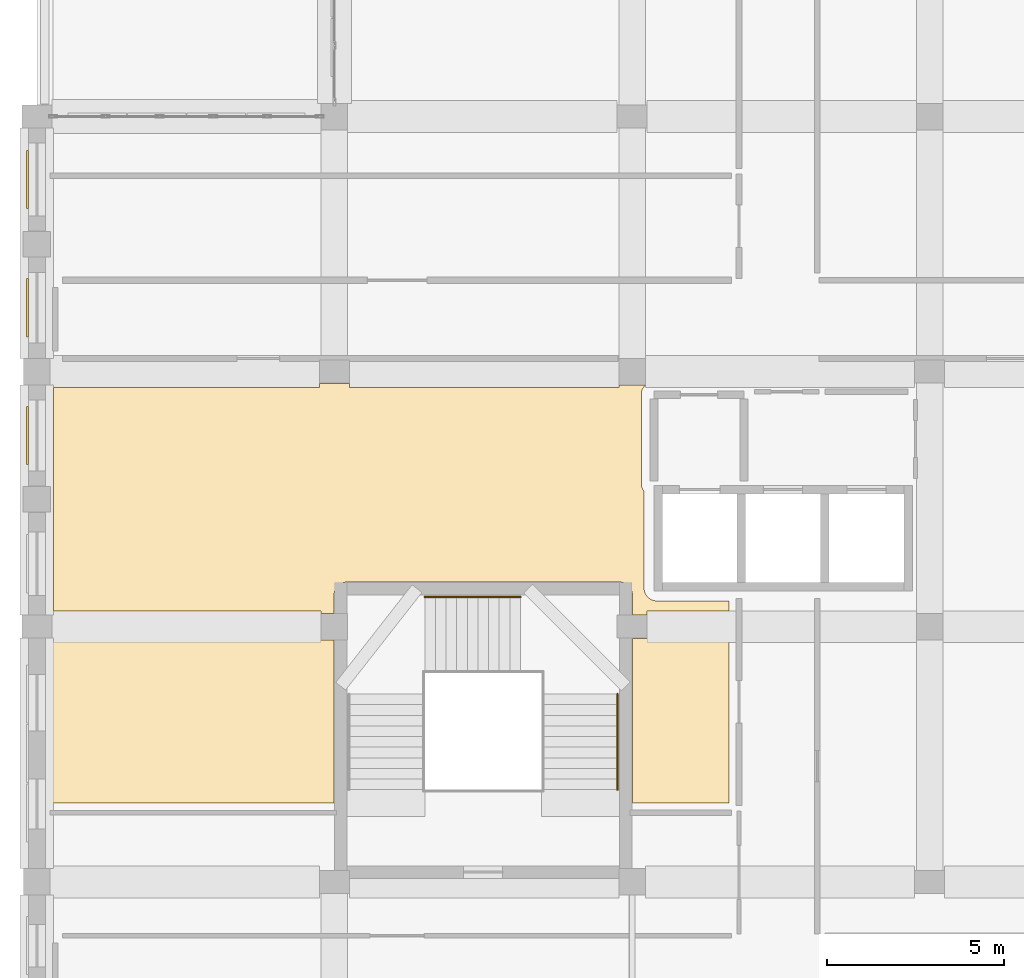
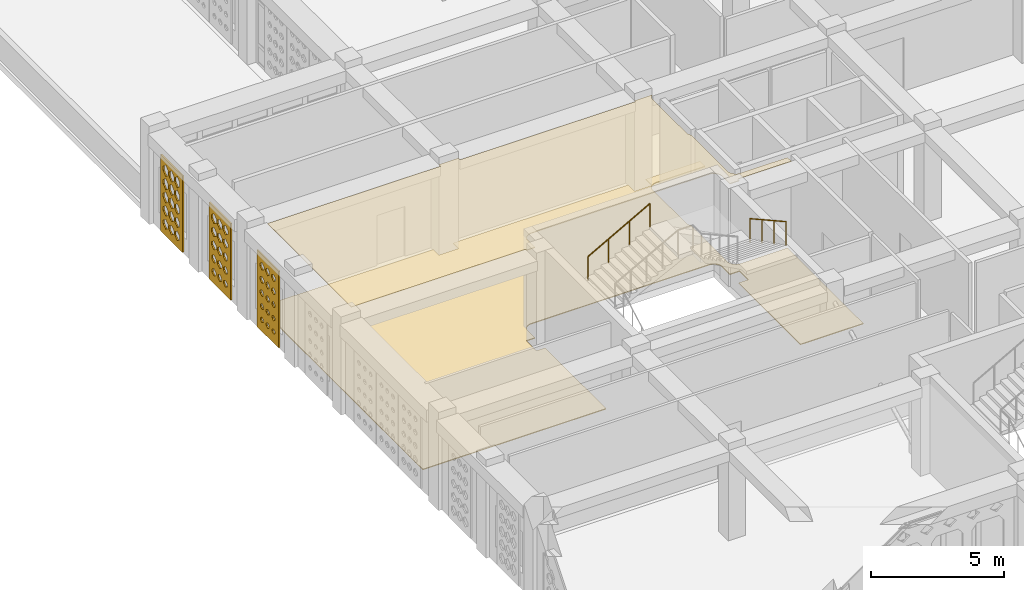
# One storey, part 73 of 100: 5 coverings, 2 railings.
"""IFC4 building model written with IfcOpenShell, lengths in metres."""

from ifc_helpers import new_model, si_unit, derived_unit, direction, frame, origin, origin_2d, place, context, subcontext, project, spatial, polyline, circle, outline, extrude, material, layer, layer_set, type_object, element, save


model = new_model("IFC4")

# Units and contexts
model_context = context("Model", 3, precision=1e-05, world=origin(), true_north=direction((0.0, 1.0)))
body_context = subcontext(model_context, "Body", "Model", "MODEL_VIEW")
ifc_project = project(units=[si_unit("LENGTHUNIT", "METRE"), si_unit("AREAUNIT", "SQUARE_METRE"), si_unit("VOLUMEUNIT", "CUBIC_METRE"), si_unit("PLANEANGLEUNIT", "RADIAN"), si_unit("MASSUNIT", "GRAM", prefix="KILO"), derived_unit("THERMALTRANSMITTANCEUNIT", [(si_unit("POWERUNIT", "WATT"), 1), (si_unit("LENGTHUNIT", "METRE"), -2), (si_unit("THERMODYNAMICTEMPERATUREUNIT", "KELVIN"), -1)])], contexts=[model_context])

# Site, building, storey
site_placement = place(None, origin())
site = spatial("IfcSite", under=ifc_project, at=site_placement, CompositionType="ELEMENT")
building_placement = place(site_placement, origin())
building = spatial("IfcBuilding", under=site, at=building_placement, Name="Veybourne Emporium", CompositionType="ELEMENT")
storey_placement = place(building_placement, frame((0.0, 0.0, 14.39990234375)))
storey = spatial("IfcBuildingStorey", under=building, at=storey_placement, Name="L03", CompositionType="ELEMENT", Elevation=14.39990234375)

# Coverings
ifc_material_1 = material(Name="Mineral Acoustic Ceiling", Category="gypsum")
ifc_layer_1 = layer(ifc_material_1, 0.02490234375)
ifc_layer_set_1 = layer_set([ifc_layer_1], Name="Mineral Acoustic Ceiling")
covering_type_1 = type_object("IfcCoveringType", Name="Ceiling_CLG-01", PredefinedType="CEILING", material=ifc_layer_set_1)
covering_1_placement = place(storey_placement, frame((0.0, 0.0, 4.155029296875)))
element("IfcCovering", 1, at=covering_1_placement, inside=storey, type_object=covering_type_1, Name="L03 coffered acoustic ceiling 06", PredefinedType="CEILING", context=body_context, shape_type="SweptSolid", body=[
    extrude(outline(polyline([(8.824951171875, 42.8701171875), (8.824951171875, 42.751953125), (16.425048828125, 42.751953125), (16.425048828125, 42.820068359375), (17.175048828125, 42.820068359375), (17.175048828125, 42.8134765625), (17.172607421875, 42.811279296875), (17.15869140625, 42.79736328125), (17.14794921875, 42.78564453125), (17.1357421875, 42.770751953125), (17.12646484375, 42.758056640625), (17.115478515625, 42.74169921875), (17.107421875, 42.728271484375), (17.09814453125, 42.7109375), (17.09130859375, 42.69677734375), (17.083984375, 42.6787109375), (17.07861328125, 42.663818359375), (17.072998046875, 42.64501953125), (17.069091796875, 42.6298828125), (17.065185546875, 42.610595703125), (17.06298828125, 42.594970703125), (17.06103515625, 42.575439453125), (17.060302734375, 42.559814453125), (17.06005859375, 42.550048828125), (17.06005859375, 40.04833984375), (17.060302734375, 40.038818359375), (17.06103515625, 40.0234375), (17.062744140625, 40.00439453125), (17.06494140625, 39.9892578125), (17.068603515625, 39.970458984375), (17.072265625, 39.95556640625), (17.077880859375, 39.93701171875), (17.082763671875, 39.92236328125), (17.090087890625, 39.90478515625), (17.096435546875, 39.890869140625), (17.105224609375, 39.873779296875), (17.113037109375, 39.860595703125), (17.12353515625, 39.844482421875), (17.13232421875, 39.83203125), (17.139892578125, 39.822509765625), (17.139892578125, 37.090087890625), (17.14013671875, 37.080078125), (17.14111328125, 37.064453125), (17.142822265625, 37.044921875), (17.145263671875, 37.029541015625), (17.149169921875, 37.01025390625), (17.15283203125, 36.994873046875), (17.15869140625, 36.97607421875), (17.163818359375, 36.96142578125), (17.17138671875, 36.943359375), (17.177978515625, 36.92919921875), (17.187255859375, 36.911865234375), (17.1953125, 36.8984375), (17.206298828125, 36.8818359375), (17.2158203125, 36.869384765625), (17.22802734375, 36.854248046875), (17.238525390625, 36.842529296875), (17.252685546875, 36.82861328125), (17.26416015625, 36.818115234375), (17.279296875, 36.8056640625), (17.2919921875, 36.79638671875), (17.308349609375, 36.785400390625), (17.32177734375, 36.77734375), (17.339111328125, 36.76806640625), (17.353271484375, 36.761474609375), (17.371337890625, 36.75390625), (17.38623046875, 36.74853515625), (17.405029296875, 36.742919921875), (17.420166015625, 36.739013671875), (17.439453125, 36.7353515625), (17.455078125, 36.73291015625), (17.474609375, 36.73095703125), (17.490234375, 36.730224609375), (17.5, 36.72998046875), (19.5400390625, 36.72998046875), (19.5400390625, 36.447998046875), (17.22509765625, 36.447998046875), (17.22509765625, 36.330078125), (16.81005859375, 36.330078125), (16.81005859375, 36.89990234375), (16.809814453125, 36.909912109375), (16.80908203125, 36.925537109375), (16.80712890625, 36.945068359375), (16.8046875, 36.96044921875), (16.801025390625, 36.979736328125), (16.797119140625, 36.9951171875), (16.79150390625, 37.013916015625), (16.7861328125, 37.028564453125), (16.778564453125, 37.046630859375), (16.77197265625, 37.06103515625), (16.7626953125, 37.078125), (16.754638671875, 37.091796875), (16.74365234375, 37.108154296875), (16.734375, 37.12060546875), (16.721923828125, 37.1357421875), (16.71142578125, 37.1474609375), (16.697265625, 37.161376953125), (16.685791015625, 37.171875), (16.670654296875, 37.184326171875), (16.658203125, 37.193603515625), (16.6416015625, 37.20458984375), (16.628173828125, 37.212646484375), (16.61083984375, 37.221923828125), (16.5966796875, 37.228515625), (16.57861328125, 37.236083984375), (16.56396484375, 37.241455078125), (16.545166015625, 37.2470703125), (16.52978515625, 37.2509765625), (16.510498046875, 37.2548828125), (16.494873046875, 37.257080078125), (16.4755859375, 37.259033203125), (16.459716796875, 37.259765625), (16.449951171875, 37.260009765625), (8.75, 37.260009765625), (8.740234375, 37.259765625), (8.724609375, 37.259033203125), (8.705078125, 37.257080078125), (8.689453125, 37.2548828125), (8.670166015625, 37.2509765625), (8.655029296875, 37.2470703125), (8.63623046875, 37.241455078125), (8.621337890625, 37.236083984375), (8.603271484375, 37.228515625), (8.589111328125, 37.221923828125), (8.57177734375, 37.212646484375), (8.558349609375, 37.20458984375), (8.5419921875, 37.193603515625), (8.529296875, 37.184326171875), (8.51416015625, 37.171875), (8.502685546875, 37.161376953125), (8.488525390625, 37.1474609375), (8.47802734375, 37.1357421875), (8.4658203125, 37.12060546875), (8.456298828125, 37.108154296875), (8.4453125, 37.091796875), (8.437255859375, 37.078125), (8.427978515625, 37.06103515625), (8.42138671875, 37.046630859375), (8.413818359375, 37.028564453125), (8.40869140625, 37.013916015625), (8.40283203125, 36.9951171875), (8.399169921875, 36.979736328125), (8.395263671875, 36.96044921875), (8.392822265625, 36.945068359375), (8.39111328125, 36.925537109375), (8.39013671875, 36.909912109375), (8.389892578125, 36.89990234375), (8.389892578125, 36.3798828125), (8.02490234375, 36.3798828125), (8.02490234375, 36.447998046875), (0.472900390625, 36.447998046875), (0.472900390625, 42.751953125), (7.97509765625, 42.751953125), (7.97509765625, 42.8701171875), (8.824951171875, 42.8701171875)])), origin(), (0.0, 0.0, 1.0), 0.025146484375),
])
ifc_material_2 = material(Name="European Oak Parquet", Category="wood")
ifc_layer_2 = layer(ifc_material_2, 0.034912109375)
ifc_layer_set_2 = layer_set([ifc_layer_2], Name="European Oak Parquet")
covering_type_2 = type_object("IfcCoveringType", Name="Flooring_FLR-02", PredefinedType="FLOORING", material=ifc_layer_set_2)
covering_2_placement = place(storey_placement, origin())
element("IfcCovering", 2, at=covering_2_placement, inside=storey, type_object=covering_type_2, Name="L03 floor finish 06", PredefinedType="FLOORING", context=body_context, shape_type="SweptSolid", body=[
    extrude(outline(polyline([(0.453369140625, 43.3212890625), (0.471435546875, 43.31396484375), (0.486083984375, 43.30859375), (0.5048828125, 43.302978515625), (0.520263671875, 43.299072265625), (0.53955078125, 43.295166015625), (0.554931640625, 43.29296875), (0.574462890625, 43.291015625), (0.590087890625, 43.290283203125), (0.60009765625, 43.2900390625), (7.969970703125, 43.2900390625), (7.969970703125, 42.8701171875), (8.830078125, 42.8701171875), (8.830078125, 43.2900390625), (16.419921875, 43.2900390625), (16.419921875, 42.820068359375), (17.179931640625, 42.820068359375), (17.179931640625, 43.2900390625), (19.5400390625, 43.2900390625), (19.5400390625, 42.909912109375), (17.419921875, 42.909912109375), (17.41015625, 42.90966796875), (17.39453125, 42.908935546875), (17.375, 42.906982421875), (17.359375, 42.90478515625), (17.340087890625, 42.90087890625), (17.324951171875, 42.897216796875), (17.30615234375, 42.891357421875), (17.291259765625, 42.88623046875), (17.273193359375, 42.878662109375), (17.259033203125, 42.871826171875), (17.24169921875, 42.86279296875), (17.228271484375, 42.8544921875), (17.2119140625, 42.84375), (17.19921875, 42.834228515625), (17.184326171875, 42.822021484375), (17.172607421875, 42.811279296875), (17.15869140625, 42.79736328125), (17.14794921875, 42.78564453125), (17.1357421875, 42.770751953125), (17.12646484375, 42.758056640625), (17.115478515625, 42.74169921875), (17.107421875, 42.728271484375), (17.09814453125, 42.7109375), (17.09130859375, 42.69677734375), (17.083984375, 42.6787109375), (17.07861328125, 42.663818359375), (17.072998046875, 42.64501953125), (17.069091796875, 42.6298828125), (17.065185546875, 42.610595703125), (17.06298828125, 42.594970703125), (17.06103515625, 42.575439453125), (17.060302734375, 42.559814453125), (17.06005859375, 42.550048828125), (17.06005859375, 40.04833984375), (17.060302734375, 40.038818359375), (17.06103515625, 40.0234375), (17.062744140625, 40.00439453125), (17.06494140625, 39.9892578125), (17.068603515625, 39.970458984375), (17.072265625, 39.95556640625), (17.077880859375, 39.93701171875), (17.082763671875, 39.92236328125), (17.090087890625, 39.90478515625), (17.096435546875, 39.890869140625), (17.105224609375, 39.873779296875), (17.113037109375, 39.860595703125), (17.12353515625, 39.844482421875), (17.13232421875, 39.83203125), (17.139892578125, 39.822509765625), (17.139892578125, 37.090087890625), (17.14013671875, 37.080078125), (17.14111328125, 37.064453125), (17.142822265625, 37.044921875), (17.145263671875, 37.029541015625), (17.149169921875, 37.01025390625), (17.15283203125, 36.994873046875), (17.15869140625, 36.97607421875), (17.163818359375, 36.96142578125), (17.17138671875, 36.943359375), (17.177978515625, 36.92919921875), (17.187255859375, 36.911865234375), (17.1953125, 36.8984375), (17.206298828125, 36.8818359375), (17.2158203125, 36.869384765625), (17.22802734375, 36.854248046875), (17.238525390625, 36.842529296875), (17.252685546875, 36.82861328125), (17.26416015625, 36.818115234375), (17.279296875, 36.8056640625), (17.2919921875, 36.79638671875), (17.308349609375, 36.785400390625), (17.32177734375, 36.77734375), (17.339111328125, 36.76806640625), (17.353271484375, 36.761474609375), (17.371337890625, 36.75390625), (17.38623046875, 36.74853515625), (17.405029296875, 36.742919921875), (17.420166015625, 36.739013671875), (17.439453125, 36.7353515625), (17.455078125, 36.73291015625), (17.474609375, 36.73095703125), (17.490234375, 36.730224609375), (17.5, 36.72998046875), (19.5400390625, 36.72998046875), (19.5400390625, 31.030029296875), (16.81005859375, 31.030029296875), (16.81005859375, 35.669921875), (17.22998046875, 35.669921875), (17.22998046875, 36.330078125), (16.81005859375, 36.330078125), (16.81005859375, 36.89990234375), (16.809814453125, 36.909912109375), (16.80908203125, 36.925537109375), (16.80712890625, 36.945068359375), (16.8046875, 36.96044921875), (16.801025390625, 36.979736328125), (16.797119140625, 36.9951171875), (16.79150390625, 37.013916015625), (16.7861328125, 37.028564453125), (16.778564453125, 37.046630859375), (16.77197265625, 37.06103515625), (16.7626953125, 37.078125), (16.754638671875, 37.091796875), (16.74365234375, 37.108154296875), (16.734375, 37.12060546875), (16.721923828125, 37.1357421875), (16.71142578125, 37.1474609375), (16.697265625, 37.161376953125), (16.685791015625, 37.171875), (16.670654296875, 37.184326171875), (16.658203125, 37.193603515625), (16.6416015625, 37.20458984375), (16.628173828125, 37.212646484375), (16.61083984375, 37.221923828125), (16.5966796875, 37.228515625), (16.57861328125, 37.236083984375), (16.56396484375, 37.241455078125), (16.545166015625, 37.2470703125), (16.52978515625, 37.2509765625), (16.510498046875, 37.2548828125), (16.494873046875, 37.257080078125), (16.4755859375, 37.259033203125), (16.459716796875, 37.259765625), (16.449951171875, 37.260009765625), (8.75, 37.260009765625), (8.740234375, 37.259765625), (8.724609375, 37.259033203125), (8.705078125, 37.257080078125), (8.689453125, 37.2548828125), (8.670166015625, 37.2509765625), (8.655029296875, 37.2470703125), (8.63623046875, 37.241455078125), (8.621337890625, 37.236083984375), (8.603271484375, 37.228515625), (8.589111328125, 37.221923828125), (8.57177734375, 37.212646484375), (8.558349609375, 37.20458984375), (8.5419921875, 37.193603515625), (8.529296875, 37.184326171875), (8.51416015625, 37.171875), (8.502685546875, 37.161376953125), (8.488525390625, 37.1474609375), (8.47802734375, 37.1357421875), (8.4658203125, 37.12060546875), (8.456298828125, 37.108154296875), (8.4453125, 37.091796875), (8.437255859375, 37.078125), (8.427978515625, 37.06103515625), (8.42138671875, 37.046630859375), (8.413818359375, 37.028564453125), (8.40869140625, 37.013916015625), (8.40283203125, 36.9951171875), (8.399169921875, 36.979736328125), (8.395263671875, 36.96044921875), (8.392822265625, 36.945068359375), (8.39111328125, 36.925537109375), (8.39013671875, 36.909912109375), (8.389892578125, 36.89990234375), (8.389892578125, 36.3798828125), (8.02001953125, 36.3798828125), (8.02001953125, 35.6201171875), (8.389892578125, 35.6201171875), (8.389892578125, 31.030029296875), (0.43994140625, 31.030029296875), (0.43994140625, 43.32763671875), (0.453369140625, 43.3212890625)])), origin(), (0.0, 0.0, 1.0), 0.03515625),
])

# Railings
ifc_material_3 = material(Name="Brushed Stainless Steel", Category="steel")
railing_type = type_object("IfcRailingType", Name="Handrail_HR-01", PredefinedType="HANDRAIL", material=ifc_material_3)
railing_1_placement = place(storey_placement, frame((10.949951171875, 36.840087890625, 1.650146484375)))
element("IfcRailing", 3, at=railing_1_placement, inside=storey, type_object=railing_type, Name="L03 ST-02 pitch handrail 2", PredefinedType="HANDRAIL", context=body_context, shape_type="SweptSolid", body=[
    extrude(circle(Radius=0.02392578125, at=origin_2d()), frame((0.0, 0.0, 0.92578125), z_axis=(0.87415354758, 0.0, 0.485649642493), x_axis=(0.0, 1.0, 0.0)), (0.0, 0.0, 1.0), 3.088623046875),
    extrude(circle(Radius=0.02099609375, at=origin_2d()), frame((0.0, 0.0, -0.14990234375)), (0.0, 0.0, 1.0), 1.0517578125),
    extrude(circle(Radius=0.02099609375, at=origin_2d()), frame((0.89990234375, 0.0, 0.35009765625)), (0.0, 0.0, 1.0), 1.0517578125),
    extrude(circle(Radius=0.02099609375, at=origin_2d()), frame((1.800048828125, 0.0, 0.85009765625)), (0.0, 0.0, 1.0), 1.0517578125),
    extrude(circle(Radius=0.02099609375, at=origin_2d()), frame((2.699951171875, 0.0, 1.35009765625)), (0.0, 0.0, 1.0), 1.0517578125),
])
railing_2_placement = place(storey_placement, frame((16.389892578125, 34.10009765625, 3.150146484375)))
element("IfcRailing", 4, at=railing_2_placement, inside=storey, type_object=railing_type, Name="L03 ST-02 pitch handrail 3", PredefinedType="HANDRAIL", context=body_context, shape_type="SweptSolid", body=[
    extrude(circle(Radius=0.02392578125, at=origin_2d()), frame((0.0, 0.0, 0.92578125), z_axis=(0.0, -0.874172188743, 0.48561608749), x_axis=(1.0, 0.0, 0.0)), (0.0, 0.0, 1.0), 3.0888671875),
    extrude(circle(Radius=0.02099609375, at=origin_2d()), frame((0.0, 0.0, -0.14990234375)), (0.0, 0.0, 1.0), 1.0517578125),
    extrude(circle(Radius=0.02099609375, at=origin_2d()), frame((0.0, -0.900146484375, 0.35009765625)), (0.0, 0.0, 1.0), 1.0517578125),
    extrude(circle(Radius=0.02099609375, at=origin_2d()), frame((0.0, -1.800048828125, 0.85009765625)), (0.0, 0.0, 1.0), 1.0517578125),
    extrude(circle(Radius=0.02099609375, at=origin_2d()), frame((0.0, -2.7001953125, 1.35009765625)), (0.0, 0.0, 1.0), 1.0517578125),
])

# Coverings
ifc_material_4 = material(Name="Warm-White Perforated Aluminium Screen Alloy", Category="aluminium")
ifc_layer_3 = layer(ifc_material_4, 0.06005859375)
ifc_layer_set_3 = layer_set([ifc_layer_3], Name="Warm-White Perforated Aluminium Screen Alloy")
covering_type_3 = type_object("IfcCoveringType", Name="WaveScreen_SCR-02", PredefinedType="CLADDING", material=ifc_layer_set_3)
covering_3_placement = place(storey_placement, frame((-0.298095703125, 41.3974609375, 1.815185546875), z_axis=(1.0, 0.0, 0.0), x_axis=(0.0, 1.0, 0.0)))
element("IfcCovering", 5, at=covering_3_placement, inside=storey, type_object=covering_type_3, Name="L03 wave-perforated aluminium screen SCR-02 (5B.1)", PredefinedType="CLADDING", context=body_context, shape_type="SweptSolid", body=[
    extrude(outline(polyline([(-0.81982421875, -1.7548828125), (0.81982421875, -1.7548828125), (0.81982421875, 1.7548828125), (-0.81982421875, 1.7548828125), (-0.81982421875, -1.7548828125)]), holes=[polyline([(-0.433349609375, -1.106689453125), (-0.32421875, -1.184326171875), (-0.32421875, -1.271484375), (-0.433349609375, -1.34912109375), (-0.54248046875, -1.271484375), (-0.54248046875, -1.184326171875), (-0.433349609375, -1.106689453125)]), polyline([(-0.433349609375, -0.484619140625), (-0.3173828125, -0.5673828125), (-0.3173828125, -0.660400390625), (-0.433349609375, -0.743408203125), (-0.549072265625, -0.660400390625), (-0.549072265625, -0.5673828125), (-0.433349609375, -0.484619140625)]), polyline([(-0.433349609375, 0.139404296875), (-0.309326171875, 0.050048828125), (-0.309326171875, -0.050048828125), (-0.433349609375, -0.139404296875), (-0.557373046875, -0.050048828125), (-0.557373046875, 0.050048828125), (-0.433349609375, 0.139404296875)]), polyline([(-0.433349609375, 0.764892578125), (-0.2998046875, 0.668212890625), (-0.2998046875, 0.559814453125), (-0.433349609375, 0.463134765625), (-0.56689453125, 0.559814453125), (-0.56689453125, 0.668212890625), (-0.433349609375, 0.764892578125)]), polyline([(-0.433349609375, 1.3916015625), (-0.289306640625, 1.286865234375), (-0.289306640625, 1.169189453125), (-0.433349609375, 1.064208984375), (-0.5771484375, 1.169189453125), (-0.5771484375, 1.286865234375), (-0.433349609375, 1.3916015625)]), polyline([(0.0, -1.103515625), (0.11181640625, -1.18310546875), (0.11181640625, -1.27294921875), (0.0, -1.3525390625), (-0.11181640625, -1.27294921875), (-0.11181640625, -1.18310546875), (0.0, -1.103515625)]), polyline([(0.0, -0.48046875), (0.119384765625, -0.56591796875), (0.119384765625, -0.662109375), (0.0, -0.74755859375), (-0.119384765625, -0.662109375), (-0.119384765625, -0.56591796875), (0.0, -0.48046875)]), polyline([(0.0, 0.144287109375), (0.128173828125, 0.052001953125), (0.128173828125, -0.052001953125), (0.0, -0.144287109375), (-0.128173828125, -0.052001953125), (-0.128173828125, 0.052001953125), (0.0, 0.144287109375)]), polyline([(0.0, 0.7705078125), (0.13818359375, 0.67041015625), (0.13818359375, 0.5576171875), (0.0, 0.45751953125), (-0.13818359375, 0.5576171875), (-0.13818359375, 0.67041015625), (0.0, 0.7705078125)]), polyline([(0.0, 1.397705078125), (0.14892578125, 1.2890625), (0.14892578125, 1.1669921875), (0.0, 1.05810546875), (-0.14892578125, 1.1669921875), (-0.14892578125, 1.2890625), (0.0, 1.397705078125)]), polyline([(0.433349609375, -1.099609375), (0.54833984375, -1.181884765625), (0.54833984375, -1.274169921875), (0.433349609375, -1.3564453125), (0.318115234375, -1.274169921875), (0.318115234375, -1.181884765625), (0.433349609375, -1.099609375)]), polyline([(0.433349609375, -0.4755859375), (0.556396484375, -0.564208984375), (0.556396484375, -0.663818359375), (0.433349609375, -0.752197265625), (0.310302734375, -0.663818359375), (0.310302734375, -0.564208984375), (0.433349609375, -0.4755859375)]), polyline([(0.433349609375, 0.149658203125), (0.56591796875, 0.053955078125), (0.56591796875, -0.053955078125), (0.433349609375, -0.149658203125), (0.30078125, -0.053955078125), (0.30078125, 0.053955078125), (0.433349609375, 0.149658203125)]), polyline([(0.433349609375, 0.7763671875), (0.576171875, 0.672607421875), (0.576171875, 0.555419921875), (0.433349609375, 0.45166015625), (0.290283203125, 0.555419921875), (0.290283203125, 0.672607421875), (0.433349609375, 0.7763671875)]), polyline([(0.433349609375, 1.404052734375), (0.58740234375, 1.29150390625), (0.58740234375, 1.16455078125), (0.433349609375, 1.052001953125), (0.279296875, 1.16455078125), (0.279296875, 1.29150390625), (0.433349609375, 1.404052734375)])]), origin(), (0.0, 0.0, 1.0), 0.06005859375),
])
ifc_layer_4 = layer(ifc_material_4, 0.06005859375)
ifc_layer_set_4 = layer_set([ifc_layer_4], Name="Warm-White Perforated Aluminium Screen Alloy")
covering_type_4 = type_object("IfcCoveringType", Name="WaveScreen_SCR-04", PredefinedType="CLADDING", material=ifc_layer_set_4)
covering_4_placement = place(storey_placement, frame((-0.298095703125, 45.00244140625, 1.815185546875), z_axis=(1.0, 0.0, 0.0), x_axis=(0.0, 1.0, 0.0)))
element("IfcCovering", 6, at=covering_4_placement, inside=storey, type_object=covering_type_4, Name="L03 wave-perforated aluminium screen SCR-04 (7A.1)", PredefinedType="CLADDING", context=body_context, shape_type="SweptSolid", body=[
    extrude(outline(polyline([(-0.81982421875, -1.7548828125), (0.81982421875, -1.7548828125), (0.81982421875, 1.7548828125), (-0.81982421875, 1.7548828125), (-0.81982421875, -1.7548828125)]), holes=[polyline([(-0.433349609375, -1.0673828125), (-0.2919921875, -1.170166015625), (-0.2919921875, -1.285888671875), (-0.433349609375, -1.388671875), (-0.57470703125, -1.285888671875), (-0.57470703125, -1.170166015625), (-0.433349609375, -1.0673828125)]), polyline([(-0.433349609375, -0.439697265625), (-0.28076171875, -0.55126953125), (-0.28076171875, -0.6767578125), (-0.433349609375, -0.7880859375), (-0.585693359375, -0.6767578125), (-0.585693359375, -0.55126953125), (-0.433349609375, -0.439697265625)]), polyline([(-0.433349609375, 0.188232421875), (-0.269287109375, 0.06787109375), (-0.269287109375, -0.06787109375), (-0.433349609375, -0.188232421875), (-0.597412109375, -0.06787109375), (-0.597412109375, 0.06787109375), (-0.433349609375, 0.188232421875)]), polyline([(-0.433349609375, 0.81640625), (-0.2578125, 0.68701171875), (-0.2578125, 0.541015625), (-0.433349609375, 0.41162109375), (-0.60888671875, 0.541015625), (-0.60888671875, 0.68701171875), (-0.433349609375, 0.81640625)]), polyline([(-0.433349609375, 1.444091796875), (-0.2470703125, 1.305908203125), (-0.2470703125, 1.150146484375), (-0.433349609375, 1.01171875), (-0.61962890625, 1.150146484375), (-0.61962890625, 1.305908203125), (-0.433349609375, 1.444091796875)]), polyline([(0.0, -1.061279296875), (0.146484375, -1.16796875), (0.146484375, -1.2880859375), (0.0, -1.394775390625), (-0.146484375, -1.2880859375), (-0.146484375, -1.16796875), (0.0, -1.061279296875)]), polyline([(0.0, -0.43359375), (0.15771484375, -0.549072265625), (0.15771484375, -0.678955078125), (0.0, -0.79443359375), (-0.15771484375, -0.678955078125), (-0.15771484375, -0.549072265625), (0.0, -0.43359375)]), polyline([(0.0, 0.194580078125), (0.169189453125, 0.070068359375), (0.169189453125, -0.070068359375), (0.0, -0.194580078125), (-0.169189453125, -0.070068359375), (-0.169189453125, 0.070068359375), (0.0, 0.194580078125)]), polyline([(0.0, 0.82275390625), (0.180908203125, 0.689208984375), (0.180908203125, 0.538818359375), (0.0, 0.4052734375), (-0.180908203125, 0.538818359375), (-0.180908203125, 0.689208984375), (0.0, 0.82275390625)]), polyline([(0.0, 1.4501953125), (0.186279296875, 1.30810546875), (0.186279296875, 1.14794921875), (0.0, 1.005615234375), (-0.186279296875, 1.14794921875), (-0.186279296875, 1.30810546875), (0.0, 1.4501953125)]), polyline([(0.433349609375, -1.05517578125), (0.584716796875, -1.165771484375), (0.584716796875, -1.290283203125), (0.433349609375, -1.40087890625), (0.281982421875, -1.290283203125), (0.281982421875, -1.165771484375), (0.433349609375, -1.05517578125)]), polyline([(0.433349609375, -0.427001953125), (0.59619140625, -0.546630859375), (0.59619140625, -0.681396484375), (0.433349609375, -0.80078125), (0.2705078125, -0.681396484375), (0.2705078125, -0.546630859375), (0.433349609375, -0.427001953125)]), polyline([(0.433349609375, 0.201171875), (0.60791015625, 0.072509765625), (0.60791015625, -0.072509765625), (0.433349609375, -0.201171875), (0.2587890625, -0.072509765625), (0.2587890625, 0.072509765625), (0.433349609375, 0.201171875)]), polyline([(0.433349609375, 0.8291015625), (0.619140625, 0.69140625), (0.619140625, 0.53662109375), (0.433349609375, 0.39892578125), (0.247314453125, 0.53662109375), (0.247314453125, 0.69140625), (0.433349609375, 0.8291015625)]), polyline([(0.433349609375, 1.456298828125), (0.61962890625, 1.310302734375), (0.61962890625, 1.145751953125), (0.433349609375, 0.999755859375), (0.2470703125, 1.145751953125), (0.2470703125, 1.310302734375), (0.433349609375, 1.456298828125)])]), origin(), (0.0, 0.0, 1.0), 0.06005859375),
])
covering_5_placement = place(storey_placement, frame((-0.298095703125, 48.62255859375, 1.815185546875), z_axis=(1.0, 0.0, 0.0), x_axis=(0.0, 1.0, 0.0)))
element("IfcCovering", 7, at=covering_5_placement, inside=storey, type_object=covering_type_4, Name="L03 wave-perforated aluminium screen SCR-04 (7B.1)", PredefinedType="CLADDING", context=body_context, shape_type="SweptSolid", body=[
    extrude(outline(polyline([(-0.81982421875, -1.7548828125), (0.81982421875, -1.7548828125), (0.81982421875, 1.7548828125), (-0.81982421875, 1.7548828125), (-0.81982421875, -1.7548828125)]), holes=[polyline([(-0.433349609375, -1.0146484375), (-0.248779296875, -1.151123046875), (-0.248779296875, -1.3046875), (-0.433349609375, -1.44140625), (-0.617919921875, -1.3046875), (-0.617919921875, -1.151123046875), (-0.433349609375, -1.0146484375)]), polyline([(-0.433349609375, -0.38720703125), (-0.2470703125, -0.532470703125), (-0.2470703125, -0.695556640625), (-0.433349609375, -0.8408203125), (-0.61962890625, -0.695556640625), (-0.61962890625, -0.532470703125), (-0.433349609375, -0.38720703125)]), polyline([(-0.433349609375, 0.239013671875), (-0.2470703125, 0.086181640625), (-0.2470703125, -0.086181640625), (-0.433349609375, -0.239013671875), (-0.61962890625, -0.086181640625), (-0.61962890625, 0.086181640625), (-0.433349609375, 0.239013671875)]), polyline([(-0.433349609375, 0.864013671875), (-0.2470703125, 0.7041015625), (-0.2470703125, 0.52392578125), (-0.433349609375, 0.364013671875), (-0.61962890625, 0.52392578125), (-0.61962890625, 0.7041015625), (-0.433349609375, 0.864013671875)]), polyline([(-0.433349609375, 1.4873046875), (-0.2470703125, 1.3212890625), (-0.2470703125, 1.134765625), (-0.433349609375, 0.96875), (-0.61962890625, 1.134765625), (-0.61962890625, 1.3212890625), (-0.433349609375, 1.4873046875)]), polyline([(0.0, -1.008544921875), (0.186279296875, -1.14892578125), (0.186279296875, -1.306884765625), (0.0, -1.447509765625), (-0.186279296875, -1.306884765625), (-0.186279296875, -1.14892578125), (0.0, -1.008544921875)]), polyline([(0.0, -0.381591796875), (0.186279296875, -0.5302734375), (0.186279296875, -0.69775390625), (0.0, -0.846435546875), (-0.186279296875, -0.69775390625), (-0.186279296875, -0.5302734375), (0.0, -0.381591796875)]), polyline([(0.0, 0.244140625), (0.186279296875, 0.087890625), (0.186279296875, -0.087890625), (0.0, -0.244140625), (-0.186279296875, -0.087890625), (-0.186279296875, 0.087890625), (0.0, 0.244140625)]), polyline([(0.0, 0.868408203125), (0.186279296875, 0.70556640625), (0.186279296875, 0.5224609375), (0.0, 0.359619140625), (-0.186279296875, 0.5224609375), (-0.186279296875, 0.70556640625), (0.0, 0.868408203125)]), polyline([(0.0, 1.490966796875), (0.186279296875, 1.322509765625), (0.186279296875, 1.13330078125), (0.0, 0.965087890625), (-0.186279296875, 1.13330078125), (-0.186279296875, 1.322509765625), (0.0, 1.490966796875)]), polyline([(0.433349609375, -1.00244140625), (0.61962890625, -1.146728515625), (0.61962890625, -1.30908203125), (0.433349609375, -1.45361328125), (0.2470703125, -1.30908203125), (0.2470703125, -1.146728515625), (0.433349609375, -1.00244140625)]), polyline([(0.433349609375, -0.3759765625), (0.61962890625, -0.5283203125), (0.61962890625, -0.69970703125), (0.433349609375, -0.85205078125), (0.2470703125, -0.69970703125), (0.2470703125, -0.5283203125), (0.433349609375, -0.3759765625)]), polyline([(0.433349609375, 0.2490234375), (0.61962890625, 0.089599609375), (0.61962890625, -0.089599609375), (0.433349609375, -0.2490234375), (0.2470703125, -0.089599609375), (0.2470703125, 0.089599609375), (0.433349609375, 0.2490234375)]), polyline([(0.433349609375, 0.87255859375), (0.61962890625, 0.70703125), (0.61962890625, 0.52099609375), (0.433349609375, 0.35546875), (0.2470703125, 0.52099609375), (0.2470703125, 0.70703125), (0.433349609375, 0.87255859375)]), polyline([(0.433349609375, 1.491943359375), (0.61962890625, 1.322998046875), (0.61962890625, 1.133056640625), (0.433349609375, 0.964111328125), (0.2470703125, 1.133056640625), (0.2470703125, 1.322998046875), (0.433349609375, 1.491943359375)])]), origin(), (0.0, 0.0, 1.0), 0.06005859375),
])

save(model, "model.ifc")
